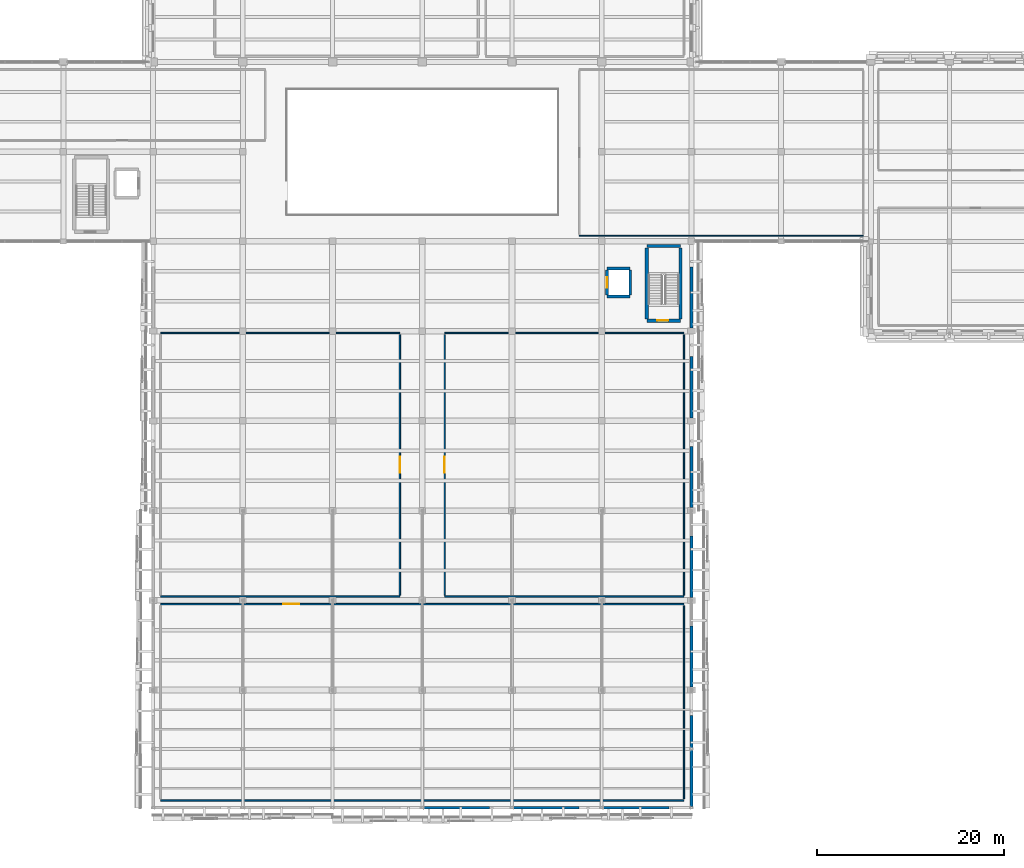
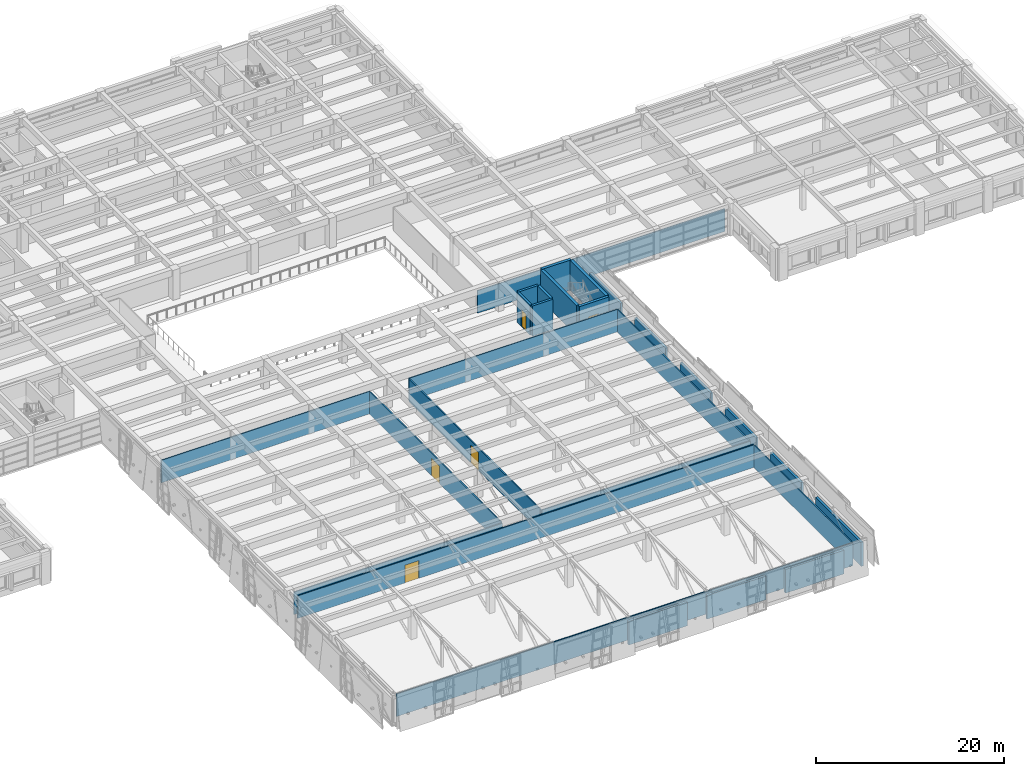
# One storey, part 44 of 62: 28 walls, 5 doors, 5 openings.
"""IFC4 building model written with IfcOpenShell, lengths in metres."""

from ifc_helpers import new_model, si_unit, direction, frame, frame_2d, origin, place, context, subcontext, project, spatial, rectangle, extrude, material, layer, layer_set, type_object, element, fill, save


model = new_model("IFC4")

# Units and contexts
model_context = context("Model", 3, precision=1e-05, world=origin(), true_north=direction((0.0, 1.0)))
body_context = subcontext(model_context, "Body", "Model", "MODEL_VIEW")
ifc_project = project(units=[si_unit("LENGTHUNIT", "METRE"), si_unit("AREAUNIT", "SQUARE_METRE"), si_unit("VOLUMEUNIT", "CUBIC_METRE"), si_unit("PLANEANGLEUNIT", "RADIAN"), si_unit("MASSUNIT", "GRAM", prefix="KILO")], contexts=[model_context])

# Site, building, storey
site_placement = place(None, origin())
site = spatial("IfcSite", under=ifc_project, at=site_placement, CompositionType="ELEMENT")
building_placement = place(site_placement, origin())
building = spatial("IfcBuilding", under=site, at=building_placement, Name="Bempovik Park Faculty of Sciences", CompositionType="ELEMENT")
storey_placement = place(building_placement, frame((0.0, 0.0, 9.89990234375)))
storey = spatial("IfcBuildingStorey", under=building, at=storey_placement, Name="L02", CompositionType="ELEMENT", Elevation=9.89990234375)

# Walls
ifc_material_1 = material(Name="Gypsum acoustic stud assembly")
ifc_layer_1 = layer(ifc_material_1, 0.1201171875)
ifc_layer_set_1 = layer_set([ifc_layer_1], Name="Gypsum acoustic stud assembly")
wall_type_1 = type_object("IfcWallType", Name="W-17 Wall 120mm", PredefinedType="PARTITIONING", material=ifc_layer_set_1)
wall_1_placement = place(storey_placement, frame((105.60009765625, 68.39990234375, 0.0), z_axis=(0.0, 0.0, 1.0), x_axis=(1.0, 0.0, 0.0)))
element("IfcWall", 1, at=wall_1_placement, inside=storey, type_object=wall_type_1, Name="L02 Atrium East Academic Staff Offices Partition South", PredefinedType="PARTITIONING", context=body_context, shape_type="SweptSolid", body=[
    extrude(rectangle(XDim=30.39990234375, YDim=0.1201171875, at=frame_2d((15.199951171875, 0.0))), origin(), (0.0, 0.0, 1.0), 2.920166015625),
])
ifc_material_2 = material(Name="Precast concrete C40/50", Category="concrete")
ifc_layer_2 = layer(ifc_material_2, 0.280029296875)
ifc_layer_set_2 = layer_set([ifc_layer_2], Name="Precast concrete C40/50")
wall_type_2 = type_object("IfcWallType", Name="W-25 Wall 280mm", PredefinedType="SOLIDWALL", material=ifc_layer_set_2)
wall_2_placement = place(storey_placement, frame((117.60009765625, 7.344970703125, 0.0), z_axis=(0.0, 0.0, 1.0), x_axis=(0.0, 1.0, 0.0)))
element("IfcWall", 2, at=wall_2_placement, inside=storey, type_object=wall_type_2, Name="L02 Crystal Backup Wall EW-CRYS-L02-7943", PredefinedType="SOLIDWALL", context=body_context, shape_type="SweptSolid", body=[
    extrude(rectangle(XDim=9.72412109375, YDim=0.280029296875, at=frame_2d((4.862060546875, 0.0))), origin(), (0.0, 0.0, 1.0), 3.080078125),
])
for number, where, z_axis, x_axis, name in (
    (3, (117.60009765625, 20.126953125, 0.0), (0.0, 0.0, 1.0), (0.0, 1.0, 0.0), "L02 Crystal Backup Wall EW-CRYS-L02-7968"),
    (4, (117.60009765625, 29.72705078125, 0.0), (0.0, 0.0, 1.0), (0.0, 1.0, 0.0), "L02 Crystal Backup Wall EW-CRYS-L02-7993"),
    (5, (117.60009765625, 39.326904296875, 0.0), (0.0, 0.0, 1.0), (0.0, 1.0, 0.0), "L02 Crystal Backup Wall EW-CRYS-L02-8018"),
    (6, (117.60009765625, 48.927001953125, 0.0), (0.0, 0.0, 1.0), (0.0, 1.0, 0.0), "L02 Crystal Backup Wall EW-CRYS-L02-8043"),
):
    element("IfcWall", number, at=place(storey_placement, frame(where, z_axis=z_axis, x_axis=x_axis)), inside=storey, type_object=wall_type_2, Name=name, PredefinedType="SOLIDWALL", context=body_context, shape_type="SweptSolid", body=[
        extrude(rectangle(XDim=6.5419921875, YDim=0.280029296875, at=frame_2d((3.27099609375, 0.0))), origin(), (0.0, 0.0, 1.0), 3.080078125),
    ])
wall_3_placement = place(storey_placement, frame((117.60009765625, 58.527099609375, 0.0), z_axis=(0.0, 0.0, 1.0), x_axis=(0.0, 1.0, 0.0)))
element("IfcWall", 7, at=wall_3_placement, inside=storey, type_object=wall_type_2, Name="L02 Crystal Backup Wall EW-CRYS-L02-8068", PredefinedType="SOLIDWALL", context=body_context, shape_type="SweptSolid", body=[
    extrude(rectangle(XDim=6.516845703125, YDim=0.280029296875, at=frame_2d((3.25830078125, 0.0))), origin(), (0.0, 0.0, 1.0), 3.080078125),
])
for number, where, z_axis, x_axis, name in (
    (8, (88.802001953125, 7.199951171875, 0.0), (0.0, 0.0, 1.0), (1.0, 0.0, 0.0), "L02 Crystal Backup Wall EW-CRYS-L02-8168"),
    (9, (98.402099609375, 7.199951171875, 0.0), (0.0, 0.0, 1.0), (1.0, 0.0, 0.0), "L02 Crystal Backup Wall EW-CRYS-L02-8193"),
):
    element("IfcWall", number, at=place(storey_placement, frame(where, z_axis=z_axis, x_axis=x_axis)), inside=storey, type_object=wall_type_2, Name=name, PredefinedType="SOLIDWALL", context=body_context, shape_type="SweptSolid", body=[
        extrude(rectangle(XDim=7.19189453125, YDim=0.280029296875, at=frame_2d((3.595947265625, 0.0))), origin(), (0.0, 0.0, 1.0), 3.080078125),
    ])
wall_4_placement = place(storey_placement, frame((108.001953125, 7.199951171875, 0.0), z_axis=(0.0, 0.0, 1.0), x_axis=(1.0, 0.0, 0.0)))
element("IfcWall", 10, at=wall_4_placement, inside=storey, type_object=wall_type_2, Name="L02 Crystal Backup Wall EW-CRYS-L02-8218", PredefinedType="SOLIDWALL", context=body_context, shape_type="SweptSolid", body=[
    extrude(rectangle(XDim=7.192138671875, YDim=0.280029296875, at=frame_2d((3.59619140625, 0.0))), origin(), (0.0, 0.0, 1.0), 3.080078125),
])
ifc_material_3 = material(Name="Concrete C40/50", Category="concrete")
ifc_layer_3 = layer(ifc_material_3, 0.300048828125)
ifc_layer_set_3 = layer_set([ifc_layer_3], Name="Concrete C40/50")
wall_type_3 = type_object("IfcWallType", Name="W-31 Wall 300mm", PredefinedType="SHEAR", material=ifc_layer_set_3)
for number, where, z_axis, x_axis, name in (
    (11, (108.550048828125, 61.89990234375, 0.0), (0.0, 0.0, 1.0), (1.0, 0.0, 0.0), "Lift LF-4 L02 Shaft Wall South"),
    (12, (108.550048828125, 64.89990234375, 0.0), (0.0, 0.0, 1.0), (1.0, 0.0, 0.0), "Lift LF-4 L02 Shaft Wall North"),
):
    element("IfcWall", number, at=place(storey_placement, frame(where, z_axis=z_axis, x_axis=x_axis)), inside=storey, type_object=wall_type_3, Name=name, PredefinedType="SHEAR", context=body_context, shape_type="SweptSolid", body=[
        extrude(rectangle(XDim=2.5, YDim=0.300048828125, at=frame_2d((1.25, 0.0))), origin(), (0.0, 0.0, 1.0), 3.900146484375),
    ])

# Wall, opening, door
wall_5_placement = place(storey_placement, frame((108.550048828125, 62.050048828125, 0.0), z_axis=(0.0, 0.0, 1.0), x_axis=(0.0, 1.0, 0.0)))
wall_5 = element("IfcWall", 13, at=wall_5_placement, inside=storey, type_object=wall_type_3, Name="Lift LF-4 L02 Shaft Wall West", PredefinedType="SHEAR", context=body_context, shape_type="SweptSolid", body=[
    extrude(rectangle(XDim=2.699951171875, YDim=0.300048828125, at=frame_2d((1.35009765625, 0.0))), origin(), (0.0, 0.0, 1.0), 3.900146484375),
])
opening_1_placement = place(wall_5_placement, frame((0.800048828125, 0.0, 0.0)))
opening_1 = element("IfcOpeningElement", 14, at=opening_1_placement, cuts=wall_5, Name="Opening LD-02", PredefinedType="OPENING", context=body_context, shape_type="SweptSolid", body=[
    extrude(rectangle(XDim=1.10009765625, YDim=2.199951171875, at=frame_2d((0.550048828125, 1.10009765625))), frame((0.0, 0.16015625, 0.0), z_axis=(0.0, -1.0, 0.0), x_axis=(1.0, 0.0, 0.0)), (0.0, 0.0, 1.0), 0.320068359375),
])
ifc_material_4 = material(Name="Anodised aluminium", Category="aluminium")
door_type_1 = type_object("IfcDoorType", Name="LD-02 Door 1100x2200", OperationType="NOTDEFINED", PredefinedType="DOOR", material=ifc_material_4)
door_1_placement = place(opening_1_placement, origin())
door_1 = element("IfcDoor", 15, at=door_1_placement, inside=storey, type_object=door_type_1, Name="Lift LF-4 L02 Sliding Landing Door", OperationType="SLIDING_TO_LEFT", OverallHeight=2.199951171875, OverallWidth=1.10009765625, PredefinedType="DOOR", context=body_context, shape_type="SweptSolid", body=[
    extrude(rectangle(XDim=1.10009765625, YDim=2.199951171875, at=frame_2d((0.550048828125, 1.10009765625))), frame((0.0, 0.02490234375, 0.0), z_axis=(0.0, -1.0, 0.0), x_axis=(1.0, 0.0, 0.0)), (0.0, 0.0, 1.0), 0.050048828125),
])
fill(opening_1, door_1)

# Walls
wall_6_placement = place(storey_placement, frame((111.050048828125, 62.050048828125, 0.0), z_axis=(0.0, 0.0, 1.0), x_axis=(0.0, 1.0, 0.0)))
element("IfcWall", 16, at=wall_6_placement, inside=storey, type_object=wall_type_3, Name="Lift LF-4 L02 Shaft Wall East", PredefinedType="SHEAR", context=body_context, shape_type="SweptSolid", body=[
    extrude(rectangle(XDim=2.699951171875, YDim=0.300048828125, at=frame_2d((1.35009765625, 0.0))), origin(), (0.0, 0.0, 1.0), 3.900146484375),
])
ifc_layer_4 = layer(ifc_material_1, 0.14990234375)
ifc_layer_set_4 = layer_set([ifc_layer_4], Name="Gypsum acoustic stud assembly")
wall_type_4 = type_object("IfcWallType", Name="W-42 Wall 150mm", PredefinedType="PARTITIONING", material=ifc_layer_set_4)
wall_7_placement = place(storey_placement, frame((60.800048828125, 8.0, 0.0), z_axis=(0.0, 0.0, 1.0), x_axis=(1.0, 0.0, 0.0)))
element("IfcWall", 17, at=wall_7_placement, inside=storey, type_object=wall_type_4, Name="L02 Cantilevered Park-View Learning Commons Partition South", PredefinedType="PARTITIONING", context=body_context, shape_type="SweptSolid", body=[
    extrude(rectangle(XDim=56.0, YDim=0.14990234375, at=frame_2d((28.0, 0.0))), origin(), (0.0, 0.0, 1.0), 2.920166015625),
])

# Wall, opening, door
wall_8_placement = place(storey_placement, frame((60.800048828125, 29.0, 0.0), z_axis=(0.0, 0.0, 1.0), x_axis=(1.0, 0.0, 0.0)))
wall_8 = element("IfcWall", 18, at=wall_8_placement, inside=storey, type_object=wall_type_4, Name="L02 Cantilevered Park-View Learning Commons Partition North", PredefinedType="PARTITIONING", context=body_context, shape_type="SweptSolid", body=[
    extrude(rectangle(XDim=56.0, YDim=0.14990234375, at=frame_2d((28.0, 0.0))), origin(), (0.0, 0.0, 1.0), 2.920166015625),
])
opening_2_placement = place(wall_8_placement, frame((13.14990234375, 0.0, 0.0)))
opening_2 = element("IfcOpeningElement", 19, at=opening_2_placement, cuts=wall_8, Name="Opening D-40", PredefinedType="OPENING", context=body_context, shape_type="SweptSolid", body=[
    extrude(rectangle(XDim=1.699951171875, YDim=2.300048828125, at=frame_2d((0.85009765625, 1.14990234375))), frame((0.0, 0.0849609375, 0.0), z_axis=(0.0, -1.0, 0.0), x_axis=(1.0, 0.0, 0.0)), (0.0, 0.0, 1.0), 0.169921875),
])
ifc_material_5 = material(Name="Anodised architectural bronze")
door_type_2 = type_object("IfcDoorType", Name="D-40 Door 1700x2300", OperationType="NOTDEFINED", PredefinedType="DOOR", material=ifc_material_5)
door_2_placement = place(opening_2_placement, origin())
door_2 = element("IfcDoor", 20, at=door_2_placement, inside=storey, type_object=door_type_2, Name="L02 Cantilevered Park-View Learning Commons Door", OperationType="DOUBLE_DOOR_SINGLE_SWING", OverallHeight=2.300048828125, OverallWidth=1.699951171875, PredefinedType="DOOR", context=body_context, shape_type="SweptSolid", body=[
    extrude(rectangle(XDim=1.699951171875, YDim=2.300048828125, at=frame_2d((0.85009765625, 1.14990234375))), frame((0.0, 0.02490234375, 0.0), z_axis=(0.0, -1.0, 0.0), x_axis=(1.0, 0.0, 0.0)), (0.0, 0.0, 1.0), 0.050048828125),
])
fill(opening_2, door_2)

# Walls
wall_9_placement = place(storey_placement, frame((116.800048828125, 8.159912109375, 0.0), z_axis=(0.0, 0.0, 1.0), x_axis=(0.0, 1.0, 0.0)))
element("IfcWall", 21, at=wall_9_placement, inside=storey, type_object=wall_type_4, Name="L02 Cantilevered Park-View Learning Commons Partition East", PredefinedType="PARTITIONING", context=body_context, shape_type="SweptSolid", body=[
    extrude(rectangle(XDim=20.68017578125, YDim=0.14990234375, at=frame_2d((10.340087890625, 0.0))), origin(), (0.0, 0.0, 1.0), 2.920166015625),
])
for number, where, z_axis, x_axis, name in (
    (22, (60.800048828125, 29.800048828125, 0.0), (0.0, 0.0, 1.0), (1.0, 0.0, 0.0), "L02 Digital Science Reading Commons West Partition South"),
    (23, (60.800048828125, 58.0, 0.0), (0.0, 0.0, 1.0), (1.0, 0.0, 0.0), "L02 Digital Science Reading Commons West Partition North"),
):
    element("IfcWall", number, at=place(storey_placement, frame(where, z_axis=z_axis, x_axis=x_axis)), inside=storey, type_object=wall_type_4, Name=name, PredefinedType="PARTITIONING", context=body_context, shape_type="SweptSolid", body=[
        extrude(rectangle(XDim=25.599853515625, YDim=0.14990234375, at=frame_2d((12.7998046875, 0.0))), origin(), (0.0, 0.0, 1.0), 2.920166015625),
    ])

# Wall, opening, door
wall_10_placement = place(storey_placement, frame((86.39990234375, 29.9599609375, 0.0), z_axis=(0.0, 0.0, 1.0), x_axis=(0.0, 1.0, 0.0)))
wall_10 = element("IfcWall", 24, at=wall_10_placement, inside=storey, type_object=wall_type_4, Name="L02 Digital Science Reading Commons West Partition East", PredefinedType="PARTITIONING", context=body_context, shape_type="SweptSolid", body=[
    extrude(rectangle(XDim=27.880126953125, YDim=0.14990234375, at=frame_2d((13.93994140625, 0.0))), origin(), (0.0, 0.0, 1.0), 2.920166015625),
])
opening_3_placement = place(wall_10_placement, frame((13.090087890625, 0.0, 0.0)))
opening_3 = element("IfcOpeningElement", 25, at=opening_3_placement, cuts=wall_10, Name="Opening D-40", PredefinedType="OPENING", context=body_context, shape_type="SweptSolid", body=[
    extrude(rectangle(XDim=1.699951171875, YDim=2.300048828125, at=frame_2d((0.85009765625, 1.14990234375))), frame((0.0, 0.0849609375, 0.0), z_axis=(0.0, -1.0, 0.0), x_axis=(1.0, 0.0, 0.0)), (0.0, 0.0, 1.0), 0.169921875),
])
door_3_placement = place(opening_3_placement, origin())
door_3 = element("IfcDoor", 26, at=door_3_placement, inside=storey, type_object=door_type_2, Name="L02 Digital Science Reading Commons West Door", OperationType="DOUBLE_DOOR_SINGLE_SWING", OverallHeight=2.300048828125, OverallWidth=1.699951171875, PredefinedType="DOOR", context=body_context, shape_type="SweptSolid", body=[
    extrude(rectangle(XDim=1.699951171875, YDim=2.300048828125, at=frame_2d((0.85009765625, 1.14990234375))), frame((0.0, 0.02490234375, 0.0), z_axis=(0.0, -1.0, 0.0), x_axis=(1.0, 0.0, 0.0)), (0.0, 0.0, 1.0), 0.050048828125),
])
fill(opening_3, door_3)

# Walls
for number, where, z_axis, x_axis, name in (
    (27, (91.199951171875, 29.800048828125, 0.0), (0.0, 0.0, 1.0), (1.0, 0.0, 0.0), "L02 Collaborative Study Commons East Partition South"),
    (28, (91.199951171875, 58.0, 0.0), (0.0, 0.0, 1.0), (1.0, 0.0, 0.0), "L02 Collaborative Study Commons East Partition North"),
):
    element("IfcWall", number, at=place(storey_placement, frame(where, z_axis=z_axis, x_axis=x_axis)), inside=storey, type_object=wall_type_4, Name=name, PredefinedType="PARTITIONING", context=body_context, shape_type="SweptSolid", body=[
        extrude(rectangle(XDim=25.60009765625, YDim=0.14990234375, at=frame_2d((12.800048828125, 0.0))), origin(), (0.0, 0.0, 1.0), 2.920166015625),
    ])

# Wall, opening, door
wall_11_placement = place(storey_placement, frame((91.199951171875, 29.9599609375, 0.0), z_axis=(0.0, 0.0, 1.0), x_axis=(0.0, 1.0, 0.0)))
wall_11 = element("IfcWall", 29, at=wall_11_placement, inside=storey, type_object=wall_type_4, Name="L02 Collaborative Study Commons East Partition West", PredefinedType="PARTITIONING", context=body_context, shape_type="SweptSolid", body=[
    extrude(rectangle(XDim=27.880126953125, YDim=0.14990234375, at=frame_2d((13.93994140625, 0.0))), origin(), (0.0, 0.0, 1.0), 2.920166015625),
])
opening_4_placement = place(wall_11_placement, frame((13.090087890625, 0.0, 0.0)))
opening_4 = element("IfcOpeningElement", 30, at=opening_4_placement, cuts=wall_11, Name="Opening D-40", PredefinedType="OPENING", context=body_context, shape_type="SweptSolid", body=[
    extrude(rectangle(XDim=1.699951171875, YDim=2.300048828125, at=frame_2d((0.85009765625, 1.14990234375))), frame((0.0, 0.0849609375, 0.0), z_axis=(0.0, -1.0, 0.0), x_axis=(1.0, 0.0, 0.0)), (0.0, 0.0, 1.0), 0.169921875),
])
door_4_placement = place(opening_4_placement, origin())
door_4 = element("IfcDoor", 31, at=door_4_placement, inside=storey, type_object=door_type_2, Name="L02 Collaborative Study Commons East Door", OperationType="DOUBLE_DOOR_SINGLE_SWING", OverallHeight=2.300048828125, OverallWidth=1.699951171875, PredefinedType="DOOR", context=body_context, shape_type="SweptSolid", body=[
    extrude(rectangle(XDim=1.699951171875, YDim=2.300048828125, at=frame_2d((0.85009765625, 1.14990234375))), frame((0.0, 0.02490234375, 0.0), z_axis=(0.0, -1.0, 0.0), x_axis=(1.0, 0.0, 0.0)), (0.0, 0.0, 1.0), 0.050048828125),
])
fill(opening_4, door_4)

# Wall
wall_12_placement = place(storey_placement, frame((116.800048828125, 29.9599609375, 0.0), z_axis=(0.0, 0.0, 1.0), x_axis=(0.0, 1.0, 0.0)))
element("IfcWall", 32, at=wall_12_placement, inside=storey, type_object=wall_type_4, Name="L02 Collaborative Study Commons East Partition East", PredefinedType="PARTITIONING", context=body_context, shape_type="SweptSolid", body=[
    extrude(rectangle(XDim=27.880126953125, YDim=0.14990234375, at=frame_2d((13.93994140625, 0.0))), origin(), (0.0, 0.0, 1.0), 2.920166015625),
])

# Wall, opening, door
ifc_layer_5 = layer(ifc_material_3, 0.35009765625)
ifc_layer_set_5 = layer_set([ifc_layer_5], Name="Concrete C40/50")
wall_type_5 = type_object("IfcWallType", Name="W-46 Wall 350mm", PredefinedType="SHEAR", material=ifc_layer_set_5)
wall_13_placement = place(storey_placement, frame((112.824951171875, 59.324951171875, 0.0), z_axis=(0.0, 0.0, 1.0), x_axis=(1.0, 0.0, 0.0)))
wall_13 = element("IfcWall", 33, at=wall_13_placement, inside=storey, type_object=wall_type_5, Name="ST-5 L02 Core Shear Wall South", PredefinedType="SHEAR", context=body_context, shape_type="SweptSolid", body=[
    extrude(rectangle(XDim=3.60009765625, YDim=0.35009765625, at=frame_2d((1.800048828125, 0.0))), origin(), (0.0, 0.0, 1.0), 3.900146484375),
])
opening_5_placement = place(wall_13_placement, frame((1.10009765625, 0.0, 0.0)))
opening_5 = element("IfcOpeningElement", 34, at=opening_5_placement, cuts=wall_13, Name="Opening D-49", PredefinedType="OPENING", context=body_context, shape_type="SweptSolid", body=[
    extrude(rectangle(XDim=1.199951171875, YDim=2.199951171875, at=frame_2d((0.60009765625, 1.10009765625))), frame((0.0, 0.18505859375, 0.0), z_axis=(0.0, -1.0, 0.0), x_axis=(1.0, 0.0, 0.0)), (0.0, 0.0, 1.0), 0.3701171875),
])
ifc_material_6 = material(Name="Painted steel S355", Category="steel")
door_type_3 = type_object("IfcDoorType", Name="D-49 Door 1200x2200", OperationType="NOTDEFINED", PredefinedType="DOOR", material=ifc_material_6)
door_5_placement = place(opening_5_placement, origin())
door_5 = element("IfcDoor", 35, at=door_5_placement, inside=storey, type_object=door_type_3, Name="ST-5 L02 Protected Stair Smoke Door", OperationType="SINGLE_SWING_LEFT", OverallHeight=2.199951171875, OverallWidth=1.199951171875, PredefinedType="DOOR", context=body_context, shape_type="SweptSolid", body=[
    extrude(rectangle(XDim=1.199951171875, YDim=2.199951171875, at=frame_2d((0.60009765625, 1.10009765625))), frame((0.0, 0.02490234375, 0.0), z_axis=(0.0, -1.0, 0.0), x_axis=(1.0, 0.0, 0.0)), (0.0, 0.0, 1.0), 0.050048828125),
])
fill(opening_5, door_5)

# Walls
for number, where, z_axis, x_axis, name in (
    (36, (112.824951171875, 59.52490234375, 0.0), (0.0, 0.0, 1.0), (0.0, 1.0, 0.0), "ST-5 L02 Core Shear Wall West"),
    (37, (116.425048828125, 59.52490234375, 0.0), (0.0, 0.0, 1.0), (0.0, 1.0, 0.0), "ST-5 L02 Core Shear Wall East"),
):
    element("IfcWall", number, at=place(storey_placement, frame(where, z_axis=z_axis, x_axis=x_axis)), inside=storey, type_object=wall_type_5, Name=name, PredefinedType="SHEAR", context=body_context, shape_type="SweptSolid", body=[
        extrude(rectangle(XDim=7.5751953125, YDim=0.35009765625, at=frame_2d((3.78759765625, 0.0))), origin(), (0.0, 0.0, 1.0), 3.900146484375),
    ])
wall_14_placement = place(storey_placement, frame((112.824951171875, 67.300048828125, 0.0), z_axis=(0.0, 0.0, 1.0), x_axis=(1.0, 0.0, 0.0)))
element("IfcWall", 38, at=wall_14_placement, inside=storey, type_object=wall_type_5, Name="ST-5 L02 Core Shear Wall North", PredefinedType="SHEAR", context=body_context, shape_type="SweptSolid", body=[
    extrude(rectangle(XDim=3.60009765625, YDim=0.35009765625, at=frame_2d((1.800048828125, 0.0))), origin(), (0.0, 0.0, 1.0), 3.900146484375),
])

save(model, "model.ifc")
